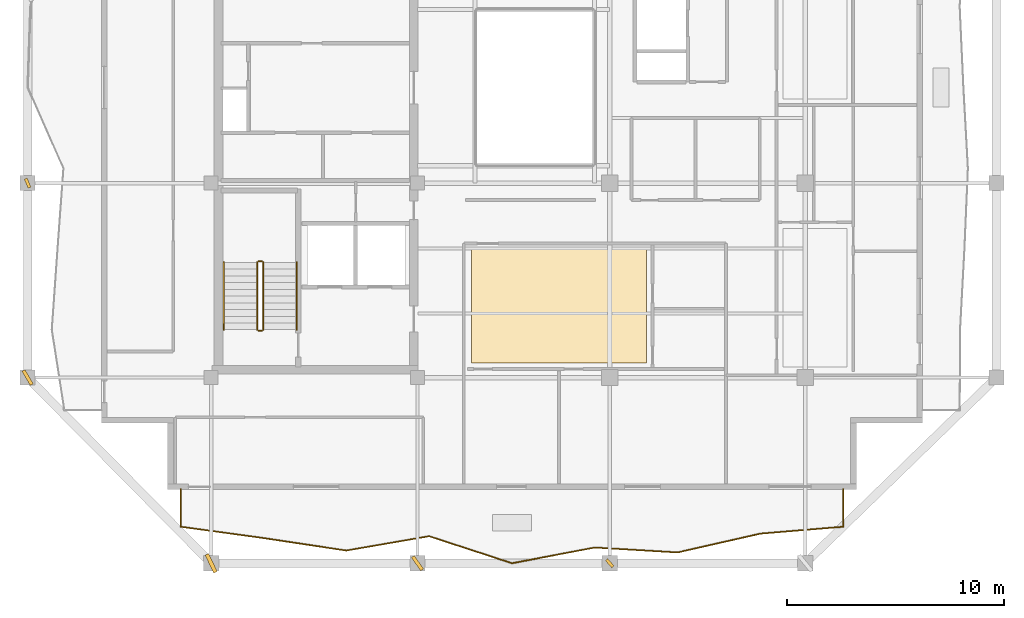
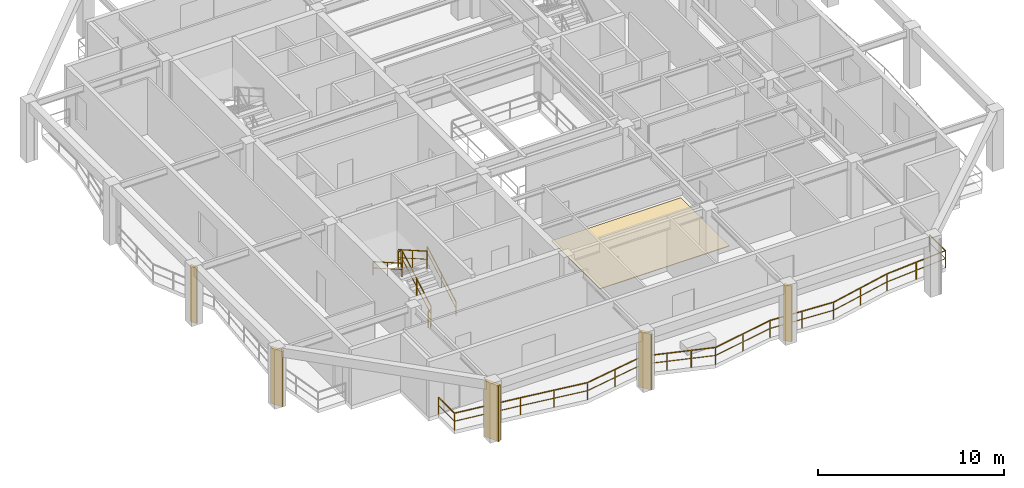
# One storey, part 7 of 10: 7 railings, 5 shading devices, 1 covering.
"""IFC4 building model written with IfcOpenShell, lengths in metres."""

from ifc_helpers import new_model, si_unit, direction, frame, origin, origin_2d, place, context, subcontext, project, spatial, polyline, rectangle, outline, extrude, material, layer, layer_set, type_object, element, save


model = new_model("IFC4")

# Units and contexts
model_context = context("Model", 3, precision=1e-05, world=origin(), true_north=direction((0.0, 1.0)))
body_context = subcontext(model_context, "Body", "Model", "MODEL_VIEW")
ifc_project = project(units=[si_unit("LENGTHUNIT", "METRE"), si_unit("AREAUNIT", "SQUARE_METRE"), si_unit("VOLUMEUNIT", "CUBIC_METRE"), si_unit("PLANEANGLEUNIT", "RADIAN"), si_unit("MASSUNIT", "GRAM", prefix="KILO")], contexts=[model_context])

# Site, building, storey
site_placement = place(None, origin())
site = spatial("IfcSite", under=ifc_project, at=site_placement, CompositionType="ELEMENT")
building_placement = place(site_placement, origin())
building = spatial("IfcBuilding", under=site, at=building_placement, Name="Kundavana Baori Tower", CompositionType="ELEMENT")
storey_placement = place(building_placement, frame((0.0, 0.0, 272.60009765625)))
storey = spatial("IfcBuildingStorey", under=building, at=storey_placement, Name="L67", CompositionType="ELEMENT", Elevation=272.60009765625)

# Covering
ifc_material_1 = material(Name="Honed Kota Stone and Terrazzo Flooring", Category="masonry")
ifc_layer = layer(ifc_material_1, 0.0400390625, Name="COV-FLR-TERR-40")
ifc_layer_set = layer_set([ifc_layer], Name="Honed Kota Stone and Terrazzo Flooring")
covering_type = type_object("IfcCoveringType", Name="COV-FLR-TERR-40", PredefinedType="FLOORING", material=ifc_layer_set)
covering_placement = place(storey_placement, origin())
element("IfcCovering", 1, at=covering_placement, inside=storey, type_object=covering_type, Name="L67 Room Finished Stone Flooring 1", PredefinedType="FLOORING", context=body_context, shape_type="SweptSolid", body=[
    extrude(outline(polyline([(27.43994140625, 15.919921875), (35.489990234375, 15.919921875), (35.489990234375, 21.139892578125), (27.43994140625, 21.139892578125), (27.43994140625, 15.919921875)])), origin(), (0.0, 0.0, 1.0), 0.039794921875),
])

# Railings
ifc_material_2 = material(Name="Architectural Patinated Bronze Metalwork")
railing_type_1 = type_object("IfcRailingType", Name="RL-BAL-1150", PredefinedType="BALUSTRADE", material=ifc_material_2)
railing_1_placement = place(storey_placement, frame((44.550048828125, 10.10009765625, 0.0)))
element("IfcRailing", 2, at=railing_1_placement, inside=storey, type_object=railing_type_1, Name="L67 Loggia Balcony Balustrade S", PredefinedType="BALUSTRADE", context=body_context, shape_type="SweptSolid", body=[
    extrude(rectangle(XDim=0.048095703125, YDim=0.048095703125, at=origin_2d()), frame((0.0, 0.0, 1.1259765625), z_axis=(0.0, -1.0, 0.0), x_axis=(1.0, 0.0, 0.0)), (0.0, 0.0, 1.0), 1.72021484375),
    extrude(rectangle(XDim=0.03125, YDim=0.03125, at=origin_2d()), frame((0.0, 0.0, 0.597900390625), z_axis=(0.0, -1.0, 0.0), x_axis=(1.0, 0.0, 0.0)), (0.0, 0.0, 1.0), 1.72021484375),
    extrude(rectangle(XDim=0.048095703125, YDim=0.048095703125, at=origin_2d()), frame((0.0, -1.72021484375, 1.1259765625), z_axis=(-0.996564216083, -0.08282368757, 0.0), x_axis=(0.08282368757, -0.996564216083, 0.0)), (0.0, 0.0, 1.0), 3.826171875),
    extrude(rectangle(XDim=0.03125, YDim=0.03125, at=origin_2d()), frame((0.0, -1.72021484375, 0.597900390625), z_axis=(-0.996564216083, -0.08282368757, 0.0), x_axis=(0.08282368757, -0.996564216083, 0.0)), (0.0, 0.0, 1.0), 3.826171875),
    extrude(rectangle(XDim=0.048095703125, YDim=0.048095703125, at=origin_2d()), frame((-3.81298828125, -2.037109375, 1.1259765625), z_axis=(-0.975154936802, -0.221523924737, 0.0), x_axis=(0.221523924737, -0.975154936802, 0.0)), (0.0, 0.0, 1.0), 3.9091796875),
    extrude(rectangle(XDim=0.03125, YDim=0.03125, at=origin_2d()), frame((-3.81298828125, -2.037109375, 0.597900390625), z_axis=(-0.975154936802, -0.221523924737, 0.0), x_axis=(0.221523924737, -0.975154936802, 0.0)), (0.0, 0.0, 1.0), 3.9091796875),
    extrude(rectangle(XDim=0.048095703125, YDim=0.048095703125, at=origin_2d()), frame((-7.625, -2.903076171875, 1.1259765625), z_axis=(-0.998246935271, 0.059186621979, 0.0), x_axis=(-0.059186621979, -0.998246935271, 0.0)), (0.0, 0.0, 1.0), 3.819580078125),
    extrude(rectangle(XDim=0.03125, YDim=0.03125, at=origin_2d()), frame((-7.625, -2.903076171875, 0.597900390625), z_axis=(-0.998246935271, 0.059186621979, 0.0), x_axis=(-0.059186621979, -0.998246935271, 0.0)), (0.0, 0.0, 1.0), 3.819580078125),
    extrude(rectangle(XDim=0.048095703125, YDim=0.048095703125, at=origin_2d()), frame((-11.43798828125, -2.677001953125, 1.1259765625), z_axis=(-0.98247818175, -0.186377633812, 0.0), x_axis=(0.186377633812, -0.98247818175, 0.0)), (0.0, 0.0, 1.0), 3.8798828125),
    extrude(rectangle(XDim=0.03125, YDim=0.03125, at=origin_2d()), frame((-11.43798828125, -2.677001953125, 0.597900390625), z_axis=(-0.98247818175, -0.186377633812, 0.0), x_axis=(0.186377633812, -0.98247818175, 0.0)), (0.0, 0.0, 1.0), 3.8798828125),
    extrude(rectangle(XDim=0.048095703125, YDim=0.048095703125, at=origin_2d()), frame((-15.25, -3.400146484375, 1.1259765625), z_axis=(-0.950601058119, 0.310415251403, 0.0), x_axis=(-0.310415251403, -0.950601058119, 0.0)), (0.0, 0.0, 1.0), 4.01123046875),
    extrude(rectangle(XDim=0.03125, YDim=0.03125, at=origin_2d()), frame((-15.25, -3.400146484375, 0.597900390625), z_axis=(-0.950601058119, 0.310415251403, 0.0), x_axis=(-0.310415251403, -0.950601058119, 0.0)), (0.0, 0.0, 1.0), 4.01123046875),
    extrude(rectangle(XDim=0.048095703125, YDim=0.048095703125, at=origin_2d()), frame((-19.06298828125, -2.155029296875, 1.1259765625), z_axis=(-0.985291308729, -0.170883109007, 0.0), x_axis=(0.170883109007, -0.985291308729, 0.0)), (0.0, 0.0, 1.0), 3.868896484375),
    extrude(rectangle(XDim=0.03125, YDim=0.03125, at=origin_2d()), frame((-19.06298828125, -2.155029296875, 0.597900390625), z_axis=(-0.985291308729, -0.170883109007, 0.0), x_axis=(0.170883109007, -0.985291308729, 0.0)), (0.0, 0.0, 1.0), 3.868896484375),
    extrude(rectangle(XDim=0.048095703125, YDim=0.048095703125, at=origin_2d()), frame((-22.875, -2.816162109375, 1.1259765625), z_axis=(-0.988853512519, 0.148891674647, 0.0), x_axis=(-0.148891674647, -0.988853512519, 0.0)), (0.0, 0.0, 1.0), 3.85498046875),
    extrude(rectangle(XDim=0.03125, YDim=0.03125, at=origin_2d()), frame((-22.875, -2.816162109375, 0.597900390625), z_axis=(-0.988853512519, 0.148891674647, 0.0), x_axis=(-0.148891674647, -0.988853512519, 0.0)), (0.0, 0.0, 1.0), 3.85498046875),
    extrude(rectangle(XDim=0.048095703125, YDim=0.048095703125, at=origin_2d()), frame((-26.68701171875, -2.2421875, 1.1259765625), z_axis=(-0.990759777242, 0.135628403364, 0.0), x_axis=(-0.135628403364, -0.990759777242, 0.0)), (0.0, 0.0, 1.0), 3.8486328125),
    extrude(rectangle(XDim=0.03125, YDim=0.03125, at=origin_2d()), frame((-26.68701171875, -2.2421875, 0.597900390625), z_axis=(-0.990759777242, 0.135628403364, 0.0), x_axis=(-0.135628403364, -0.990759777242, 0.0)), (0.0, 0.0, 1.0), 3.8486328125),
    extrude(rectangle(XDim=0.048095703125, YDim=0.048095703125, at=origin_2d()), frame((-30.5, -1.72021484375, 1.1259765625), z_axis=(0.0, 1.0, 0.0), x_axis=(-1.0, 0.0, 0.0)), (0.0, 0.0, 1.0), 1.72021484375),
    extrude(rectangle(XDim=0.03125, YDim=0.03125, at=origin_2d()), frame((-30.5, -1.72021484375, 0.597900390625), z_axis=(0.0, 1.0, 0.0), x_axis=(-1.0, 0.0, 0.0)), (0.0, 0.0, 1.0), 1.72021484375),
    extrude(rectangle(XDim=0.0419921875, YDim=0.0419921875, at=origin_2d()), origin(), (0.0, 0.0, 1.0), 1.101806640625),
    extrude(rectangle(XDim=0.0419921875, YDim=0.0419921875, at=origin_2d()), frame((0.0, -1.72021484375, 0.0)), (0.0, 0.0, 1.0), 1.101806640625),
    extrude(rectangle(XDim=0.0419921875, YDim=0.0419921875, at=origin_2d()), frame((-1.906494140625, -1.878662109375, 0.0)), (0.0, 0.0, 1.0), 1.101806640625),
    extrude(rectangle(XDim=0.0419921875, YDim=0.0419921875, at=origin_2d()), frame((-3.81298828125, -2.037109375, 0.0)), (0.0, 0.0, 1.0), 1.101806640625),
    extrude(rectangle(XDim=0.0419921875, YDim=0.0419921875, at=origin_2d()), frame((-5.718994140625, -2.47021484375, 0.0)), (0.0, 0.0, 1.0), 1.101806640625),
    extrude(rectangle(XDim=0.0419921875, YDim=0.0419921875, at=origin_2d()), frame((-7.625, -2.903076171875, 0.0)), (0.0, 0.0, 1.0), 1.101806640625),
    extrude(rectangle(XDim=0.0419921875, YDim=0.0419921875, at=origin_2d()), frame((-9.531494140625, -2.7900390625, 0.0)), (0.0, 0.0, 1.0), 1.101806640625),
    extrude(rectangle(XDim=0.0419921875, YDim=0.0419921875, at=origin_2d()), frame((-11.43798828125, -2.677001953125, 0.0)), (0.0, 0.0, 1.0), 1.101806640625),
    extrude(rectangle(XDim=0.0419921875, YDim=0.0419921875, at=origin_2d()), frame((-13.343994140625, -3.03857421875, 0.0)), (0.0, 0.0, 1.0), 1.101806640625),
    extrude(rectangle(XDim=0.0419921875, YDim=0.0419921875, at=origin_2d()), frame((-15.25, -3.400146484375, 0.0)), (0.0, 0.0, 1.0), 1.101806640625),
    extrude(rectangle(XDim=0.0419921875, YDim=0.0419921875, at=origin_2d()), frame((-16.52099609375, -2.985107421875, 0.0)), (0.0, 0.0, 1.0), 1.101806640625),
    extrude(rectangle(XDim=0.0419921875, YDim=0.0419921875, at=origin_2d()), frame((-17.7919921875, -2.570068359375, 0.0)), (0.0, 0.0, 1.0), 1.101806640625),
    extrude(rectangle(XDim=0.0419921875, YDim=0.0419921875, at=origin_2d()), frame((-19.06298828125, -2.155029296875, 0.0)), (0.0, 0.0, 1.0), 1.101806640625),
    extrude(rectangle(XDim=0.0419921875, YDim=0.0419921875, at=origin_2d()), frame((-20.968994140625, -2.485595703125, 0.0)), (0.0, 0.0, 1.0), 1.101806640625),
    extrude(rectangle(XDim=0.0419921875, YDim=0.0419921875, at=origin_2d()), frame((-22.875, -2.816162109375, 0.0)), (0.0, 0.0, 1.0), 1.101806640625),
    extrude(rectangle(XDim=0.0419921875, YDim=0.0419921875, at=origin_2d()), frame((-24.781005859375, -2.529296875, 0.0)), (0.0, 0.0, 1.0), 1.101806640625),
    extrude(rectangle(XDim=0.0419921875, YDim=0.0419921875, at=origin_2d()), frame((-26.68701171875, -2.2421875, 0.0)), (0.0, 0.0, 1.0), 1.101806640625),
    extrude(rectangle(XDim=0.0419921875, YDim=0.0419921875, at=origin_2d()), frame((-28.593505859375, -1.981201171875, 0.0)), (0.0, 0.0, 1.0), 1.101806640625),
    extrude(rectangle(XDim=0.0419921875, YDim=0.0419921875, at=origin_2d()), frame((-30.5, -1.72021484375, 0.0)), (0.0, 0.0, 1.0), 1.101806640625),
    extrude(rectangle(XDim=0.0419921875, YDim=0.0419921875, at=origin_2d()), frame((-30.5, 0.0, 0.0)), (0.0, 0.0, 1.0), 1.101806640625),
])
ifc_material_3 = material(Name="Architectural Patinated Bronze Metalwork")
railing_type_2 = type_object("IfcRailingType", Name="RL-GRD-1150", PredefinedType="GUARDRAIL", material=ifc_material_3)
railing_2_placement = place(storey_placement, frame((17.840087890625, 17.449951171875, 0.17724609375)))
element("IfcRailing", 3, at=railing_2_placement, inside=storey, type_object=railing_type_2, Name="L67 ST1 stair guard 1", PredefinedType="GUARDRAIL", context=body_context, shape_type="SweptSolid", body=[
    extrude(rectangle(XDim=0.048095703125, YDim=0.048095703125, at=origin_2d()), frame((0.0, 0.0, 1.1259765625), z_axis=(0.0, 0.868095856688, 0.496396599103), x_axis=(-1.0, 0.0, 0.0)), (0.0, 0.0, 1.0), 3.571044921875),
    extrude(rectangle(XDim=0.03125, YDim=0.03125, at=origin_2d()), frame((0.0, 0.0, 0.597900390625), z_axis=(0.0, 0.868095856688, 0.496396599103), x_axis=(-1.0, 0.0, 0.0)), (0.0, 0.0, 1.0), 3.571044921875),
    extrude(rectangle(XDim=0.0419921875, YDim=0.0419921875, at=origin_2d()), origin(), (0.0, 0.0, 1.0), 1.101806640625),
    extrude(rectangle(XDim=0.0419921875, YDim=0.0419921875, at=origin_2d()), frame((0.0, 1.550048828125, 0.88623046875)), (0.0, 0.0, 1.0), 1.101806640625),
    extrude(rectangle(XDim=0.0419921875, YDim=0.0419921875, at=origin_2d()), frame((0.0, 3.10009765625, 1.772705078125)), (0.0, 0.0, 1.0), 1.101806640625),
])
railing_3_placement = place(storey_placement, frame((17.7900390625, 20.60009765625, 1.949951171875)))
element("IfcRailing", 4, at=railing_3_placement, inside=storey, type_object=railing_type_2, Name="L67 ST1 stair guard 2", PredefinedType="GUARDRAIL", context=body_context, shape_type="SweptSolid", body=[
    extrude(rectangle(XDim=0.048095703125, YDim=0.048095703125, at=origin_2d()), frame((0.0, 0.0, 1.1259765625), z_axis=(-1.0, 0.0, 0.0), x_axis=(0.0, -1.0, 0.0)), (0.0, 0.0, 1.0), 0.16015625),
    extrude(rectangle(XDim=0.03125, YDim=0.03125, at=origin_2d()), frame((0.0, 0.0, 0.597900390625), z_axis=(-1.0, 0.0, 0.0), x_axis=(0.0, -1.0, 0.0)), (0.0, 0.0, 1.0), 0.16015625),
    extrude(rectangle(XDim=0.0419921875, YDim=0.0419921875, at=origin_2d()), origin(), (0.0, 0.0, 1.0), 1.101806640625),
    extrude(rectangle(XDim=0.0419921875, YDim=0.0419921875, at=origin_2d()), frame((-0.16015625, 0.0, 0.0)), (0.0, 0.0, 1.0), 1.101806640625),
])
railing_4_placement = place(storey_placement, frame((17.580078125, 20.550048828125, 2.127197265625)))
element("IfcRailing", 5, at=railing_4_placement, inside=storey, type_object=railing_type_2, Name="L67 ST1 stair guard 3", PredefinedType="GUARDRAIL", context=body_context, shape_type="SweptSolid", body=[
    extrude(rectangle(XDim=0.048095703125, YDim=0.048095703125, at=origin_2d()), frame((0.0, 0.0, 1.1259765625), z_axis=(0.0, -0.868095856688, 0.496396599103), x_axis=(1.0, 0.0, 0.0)), (0.0, 0.0, 1.0), 3.571044921875),
    extrude(rectangle(XDim=0.03125, YDim=0.03125, at=origin_2d()), frame((0.0, 0.0, 0.597900390625), z_axis=(0.0, -0.868095856688, 0.496396599103), x_axis=(1.0, 0.0, 0.0)), (0.0, 0.0, 1.0), 3.571044921875),
    extrude(rectangle(XDim=0.0419921875, YDim=0.0419921875, at=origin_2d()), origin(), (0.0, 0.0, 1.0), 1.101806640625),
    extrude(rectangle(XDim=0.0419921875, YDim=0.0419921875, at=origin_2d()), frame((0.0, -1.550048828125, 0.88623046875)), (0.0, 0.0, 1.0), 1.101806640625),
    extrude(rectangle(XDim=0.0419921875, YDim=0.0419921875, at=origin_2d()), frame((0.0, -3.10009765625, 1.772705078125)), (0.0, 0.0, 1.0), 1.101806640625),
])
railing_5_placement = place(storey_placement, frame((17.7900390625, 17.39990234375, 0.0)))
element("IfcRailing", 6, at=railing_5_placement, inside=storey, type_object=railing_type_2, Name="L67 ST1 stair guard 4", PredefinedType="GUARDRAIL", context=body_context, shape_type="SweptSolid", body=[
    extrude(rectangle(XDim=0.048095703125, YDim=0.048095703125, at=origin_2d()), frame((0.0, 0.0, 1.1259765625), z_axis=(-1.0, 0.0, 0.0), x_axis=(0.0, -1.0, 0.0)), (0.0, 0.0, 1.0), 0.16015625),
    extrude(rectangle(XDim=0.03125, YDim=0.03125, at=origin_2d()), frame((0.0, 0.0, 0.597900390625), z_axis=(-1.0, 0.0, 0.0), x_axis=(0.0, -1.0, 0.0)), (0.0, 0.0, 1.0), 0.16015625),
    extrude(rectangle(XDim=0.0419921875, YDim=0.0419921875, at=origin_2d()), origin(), (0.0, 0.0, 1.0), 1.101806640625),
    extrude(rectangle(XDim=0.0419921875, YDim=0.0419921875, at=origin_2d()), frame((-0.16015625, 0.0, 0.0)), (0.0, 0.0, 1.0), 1.101806640625),
])
ifc_material_4 = material(Name="Architectural Patinated Bronze Metalwork")
railing_type_3 = type_object("IfcRailingType", Name="RL-HND-920", PredefinedType="HANDRAIL", material=ifc_material_4)
railing_6_placement = place(storey_placement, frame((19.389892578125, 17.449951171875, 0.17724609375)))
element("IfcRailing", 7, at=railing_6_placement, inside=storey, type_object=railing_type_3, Name="L67 ST1 stair handrail 1", PredefinedType="HANDRAIL", context=body_context, shape_type="SweptSolid", body=[
    extrude(rectangle(XDim=0.048095703125, YDim=0.048095703125, at=origin_2d()), frame((0.0, 0.0, 0.8759765625), z_axis=(0.0, 0.868095856688, 0.496396599103), x_axis=(-1.0, 0.0, 0.0)), (0.0, 0.0, 1.0), 3.571044921875),
    extrude(rectangle(XDim=0.03125, YDim=0.03125, at=origin_2d()), frame((0.0, 0.0, 0.468017578125), z_axis=(0.0, 0.868095856688, 0.496396599103), x_axis=(-1.0, 0.0, 0.0)), (0.0, 0.0, 1.0), 3.571044921875),
    extrude(rectangle(XDim=0.0419921875, YDim=0.0419921875, at=origin_2d()), origin(), (0.0, 0.0, 1.0), 0.851806640625),
    extrude(rectangle(XDim=0.0419921875, YDim=0.0419921875, at=origin_2d()), frame((0.0, 1.550048828125, 0.88623046875)), (0.0, 0.0, 1.0), 0.851806640625),
    extrude(rectangle(XDim=0.0419921875, YDim=0.0419921875, at=origin_2d()), frame((0.0, 3.10009765625, 1.772705078125)), (0.0, 0.0, 1.0), 0.851806640625),
])
railing_7_placement = place(storey_placement, frame((16.030029296875, 20.550048828125, 2.127197265625)))
element("IfcRailing", 8, at=railing_7_placement, inside=storey, type_object=railing_type_3, Name="L67 ST1 stair handrail 2", PredefinedType="HANDRAIL", context=body_context, shape_type="SweptSolid", body=[
    extrude(rectangle(XDim=0.048095703125, YDim=0.048095703125, at=origin_2d()), frame((0.0, 0.0, 0.8759765625), z_axis=(0.0, -0.868095856688, 0.496396599103), x_axis=(1.0, 0.0, 0.0)), (0.0, 0.0, 1.0), 3.571044921875),
    extrude(rectangle(XDim=0.03125, YDim=0.03125, at=origin_2d()), frame((0.0, 0.0, 0.468017578125), z_axis=(0.0, -0.868095856688, 0.496396599103), x_axis=(1.0, 0.0, 0.0)), (0.0, 0.0, 1.0), 3.571044921875),
    extrude(rectangle(XDim=0.0419921875, YDim=0.0419921875, at=origin_2d()), origin(), (0.0, 0.0, 1.0), 0.851806640625),
    extrude(rectangle(XDim=0.0419921875, YDim=0.0419921875, at=origin_2d()), frame((0.0, -1.550048828125, 0.88623046875)), (0.0, 0.0, 1.0), 0.851806640625),
    extrude(rectangle(XDim=0.0419921875, YDim=0.0419921875, at=origin_2d()), frame((0.0, -3.10009765625, 1.772705078125)), (0.0, 0.0, 1.0), 0.851806640625),
])

# Shading devices
ifc_material_5 = material(Name="Red-Buff Dholpur Sandstone Cladding on Concrete C40/50", Category="masonry")
shading_device_type_1 = type_object("IfcShadingDeviceType", Name="SHD-FIN-750", PredefinedType="JALOUSIE", material=ifc_material_5)
for number, where, z_axis, x_axis, name in (
    (9, (24.949951171875, 6.699951171875, 0.0), (0.0, 0.0, 1.0), (0.817948952887, 0.575290805133, 0.0), "L67 Sweeping Dholpur Sandstone Facade Fin 2"),
    (10, (7.0, 15.25, 0.0), (0.0, 0.0, 1.0), (0.863835505204, 0.503773977046, 0.0), "L67 Sweeping Dholpur Sandstone Facade Fin 5"),
):
    element("IfcShadingDevice", number, at=place(storey_placement, frame(where, z_axis=z_axis, x_axis=x_axis)), inside=storey, type_object=shading_device_type_1, Name=name, PredefinedType="JALOUSIE", context=body_context, shape_type="SweptSolid", body=[
        extrude(rectangle(XDim=0.159912109375, YDim=0.75, at=origin_2d()), origin(), (0.0, 0.0, 1.0), 3.659912109375),
    ])
ifc_material_6 = material(Name="Red-Buff Dholpur Sandstone Cladding on Concrete C40/50", Category="masonry")
shading_device_type_2 = type_object("IfcShadingDeviceType", Name="SHD-FIN-920", PredefinedType="JALOUSIE", material=ifc_material_6)
shading_device_placement = place(storey_placement, frame((15.449951171875, 6.699951171875, 0.0), z_axis=(0.0, 0.0, 1.0), x_axis=(0.901152695386, 0.433501810375, 0.0)))
element("IfcShadingDevice", 11, at=shading_device_placement, inside=storey, type_object=shading_device_type_2, Name="L67 Sweeping Dholpur Sandstone Facade Fin 1", PredefinedType="JALOUSIE", context=body_context, shape_type="SweptSolid", body=[
    extrude(rectangle(XDim=0.179931640625, YDim=0.919921875, at=origin_2d()), origin(), (0.0, 0.0, 1.0), 3.659912109375),
])
ifc_material_7 = material(Name="Architectural Patinated Bronze Metalwork")
shading_device_type_3 = type_object("IfcShadingDeviceType", Name="SHD-LOUV-450", PredefinedType="SHUTTER", material=ifc_material_7)
for number, where, z_axis, x_axis, name in (
    (12, (33.800048828125, 6.699951171875, 0.0), (0.0, 0.0, 1.0), (0.746870345992, 0.664969688239, 0.0), "L67 Sweeping Dholpur Sandstone Facade Fin 3"),
    (13, (7.0, 24.199951171875, 0.0), (0.0, 0.0, 1.0), (0.922065927899, 0.387032846937, 0.0), "L67 Sweeping Dholpur Sandstone Facade Fin 6"),
):
    element("IfcShadingDevice", number, at=place(storey_placement, frame(where, z_axis=z_axis, x_axis=x_axis)), inside=storey, type_object=shading_device_type_3, Name=name, PredefinedType="SHUTTER", context=body_context, shape_type="SweptSolid", body=[
        extrude(rectangle(XDim=0.139892578125, YDim=0.449951171875, at=origin_2d()), origin(), (0.0, 0.0, 1.0), 3.659912109375),
    ])

save(model, "model.ifc")
